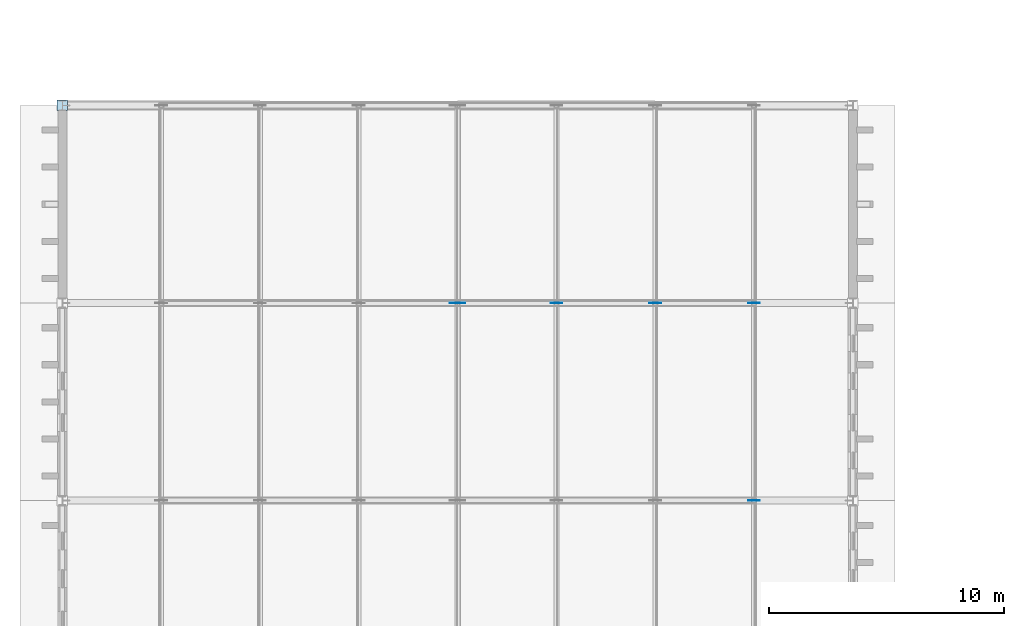
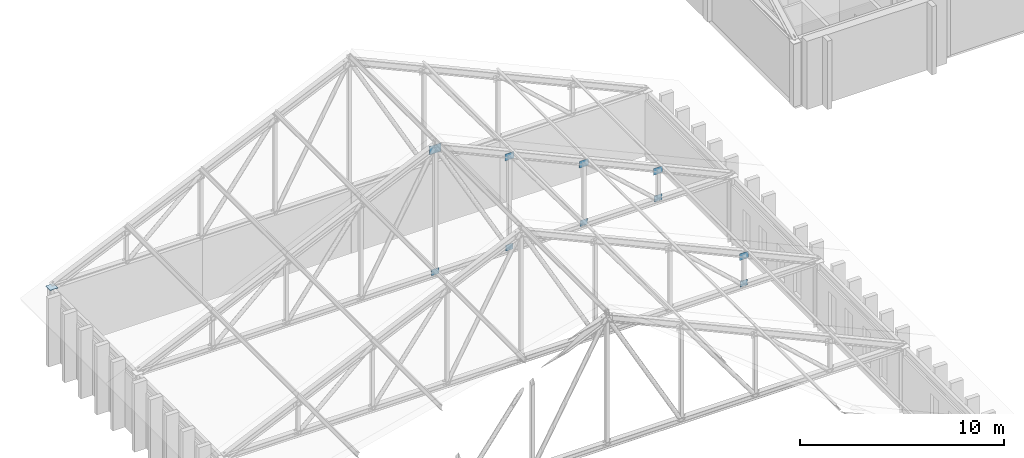
# One storey, part 71 of 110: 11 plates.
"""IFC4 building model written with IfcOpenShell, lengths in metres."""

from ifc_helpers import new_model, si_unit, direction, frame, origin, origin_2d, place, context, subcontext, project, spatial, rectangle, extrude, material, layer, layer_set, type_object, element, save


model = new_model("IFC4")

# Units and contexts
model_context = context("Model", 3, precision=1e-05, world=origin(), true_north=direction((0.0, 1.0)))
body_context = subcontext(model_context, "Body", "Model", "MODEL_VIEW")
ifc_project = project(units=[si_unit("LENGTHUNIT", "METRE"), si_unit("AREAUNIT", "SQUARE_METRE"), si_unit("VOLUMEUNIT", "CUBIC_METRE"), si_unit("PLANEANGLEUNIT", "RADIAN"), si_unit("MASSUNIT", "GRAM", prefix="KILO")], contexts=[model_context])

# Site, building, storey
site_placement = place(None, origin())
site = spatial("IfcSite", under=ifc_project, at=site_placement, CompositionType="ELEMENT")
building_placement = place(site_placement, origin())
building = spatial("IfcBuilding", under=site, at=building_placement, Name="Kveldsbrygga Polytechnic", CompositionType="ELEMENT")
storey_placement = place(building_placement, frame((0.0, 0.0, 9.860107421875)))
storey = spatial("IfcBuildingStorey", under=building, at=storey_placement, Name="L02", CompositionType="ELEMENT", Elevation=9.860107421875)

# Plates
ifc_material = material(Name="Steel S355", Category="steel")
ifc_layer_1 = layer(ifc_material, 0.030029296875)
ifc_layer_set_1 = layer_set([ifc_layer_1], Name="Steel S355")
plate_type_1 = type_object("IfcPlateType", Name="CAP-BEAR-450", PredefinedType="SHEET", material=ifc_layer_set_1)
plate_1_placement = place(storey_placement, frame((0.0, 84.0, 3.75), z_axis=(0.0, 0.0, 1.0), x_axis=(1.0, 0.0, 0.0)))
element("IfcPlate", 1, at=plate_1_placement, inside=storey, type_object=plate_type_1, Name="Truss Bearing Plate V1W-T08-A", PredefinedType="SHEET", context=body_context, shape_type="SweptSolid", body=[
    extrude(rectangle(XDim=0.449951171875, YDim=0.449951171875, at=origin_2d()), origin(), (0.0, 0.0, 1.0), 0.030029296875),
])
ifc_layer_2 = layer(ifc_material, 0.02490234375)
ifc_layer_set_2 = layer_set([ifc_layer_2], Name="Steel S355")
plate_type_2 = type_object("IfcPlateType", Name="GUS-APEX-650", PredefinedType="SHEET", material=ifc_layer_set_2)
plate_2_placement = place(storey_placement, frame((16.800048828125, 75.60009765625, 10.97998046875), z_axis=(0.0, 0.0, 1.0), x_axis=(1.0, 0.0, 0.0)))
element("IfcPlate", 2, at=plate_2_placement, inside=storey, type_object=plate_type_2, Name="Truss Gusset Plate V1W-T07-GP-4", PredefinedType="SHEET", context=body_context, shape_type="SweptSolid", body=[
    extrude(rectangle(XDim=0.64990234375, YDim=0.02490234375, at=origin_2d()), origin(), (0.0, 0.0, 1.0), 0.5),
])
ifc_layer_3 = layer(ifc_material, 0.02001953125)
ifc_layer_set_3 = layer_set([ifc_layer_3], Name="Steel S355")
plate_type_3 = type_object("IfcPlateType", Name="GUS-LECT-420", PredefinedType="SHEET", material=ifc_layer_set_3)
for number, where, z_axis, x_axis, name in (
    (3, (29.39990234375, 67.199951171875, 3.724853515625), (0.0, 0.0, 1.0), (1.0, 0.0, 0.0), "Truss Bottom-Chord Node Gusset V1W-T06-BGP-7"),
    (4, (16.800048828125, 75.60009765625, 3.724853515625), (0.0, 0.0, 1.0), (1.0, 0.0, 0.0), "Truss Bottom-Chord Node Gusset V1W-T07-BGP-4"),
    (5, (21.0, 75.60009765625, 3.724853515625), (0.0, 0.0, 1.0), (1.0, 0.0, 0.0), "Truss Bottom-Chord Node Gusset V1W-T07-BGP-5"),
    (6, (25.199951171875, 75.60009765625, 3.724853515625), (0.0, 0.0, 1.0), (1.0, 0.0, 0.0), "Truss Bottom-Chord Node Gusset V1W-T07-BGP-6"),
    (7, (29.39990234375, 75.60009765625, 3.724853515625), (0.0, 0.0, 1.0), (1.0, 0.0, 0.0), "Truss Bottom-Chord Node Gusset V1W-T07-BGP-7"),
):
    element("IfcPlate", number, at=place(storey_placement, frame(where, z_axis=z_axis, x_axis=x_axis)), inside=storey, type_object=plate_type_3, Name=name, PredefinedType="SHEET", context=body_context, shape_type="SweptSolid", body=[
        extrude(rectangle(XDim=0.419921875, YDim=0.02001953125, at=origin_2d()), origin(), (0.0, 0.0, 1.0), 0.35009765625),
    ])
ifc_layer_4 = layer(ifc_material, 0.02197265625)
ifc_layer_set_4 = layer_set([ifc_layer_4], Name="Steel S355")
plate_type_4 = type_object("IfcPlateType", Name="GUS-NODE-500", PredefinedType="SHEET", material=ifc_layer_set_4)
for number, where, z_axis, x_axis, name in (
    (8, (29.39990234375, 67.199951171875, 5.329833984375), (0.0, 0.0, 1.0), (1.0, 0.0, 0.0), "Truss Gusset Plate V1W-T06-GP-7"),
    (9, (21.0, 75.60009765625, 9.1298828125), (0.0, 0.0, 1.0), (1.0, 0.0, 0.0), "Truss Gusset Plate V1W-T07-GP-5"),
    (10, (25.199951171875, 75.60009765625, 7.22998046875), (0.0, 0.0, 1.0), (1.0, 0.0, 0.0), "Truss Gusset Plate V1W-T07-GP-6"),
    (11, (29.39990234375, 75.60009765625, 5.329833984375), (0.0, 0.0, 1.0), (1.0, 0.0, 0.0), "Truss Gusset Plate V1W-T07-GP-7"),
):
    element("IfcPlate", number, at=place(storey_placement, frame(where, z_axis=z_axis, x_axis=x_axis)), inside=storey, type_object=plate_type_4, Name=name, PredefinedType="SHEET", context=body_context, shape_type="SweptSolid", body=[
        extrude(rectangle(XDim=0.5, YDim=0.02197265625, at=origin_2d()), origin(), (0.0, 0.0, 1.0), 0.39990234375),
    ])

save(model, "model.ifc")
